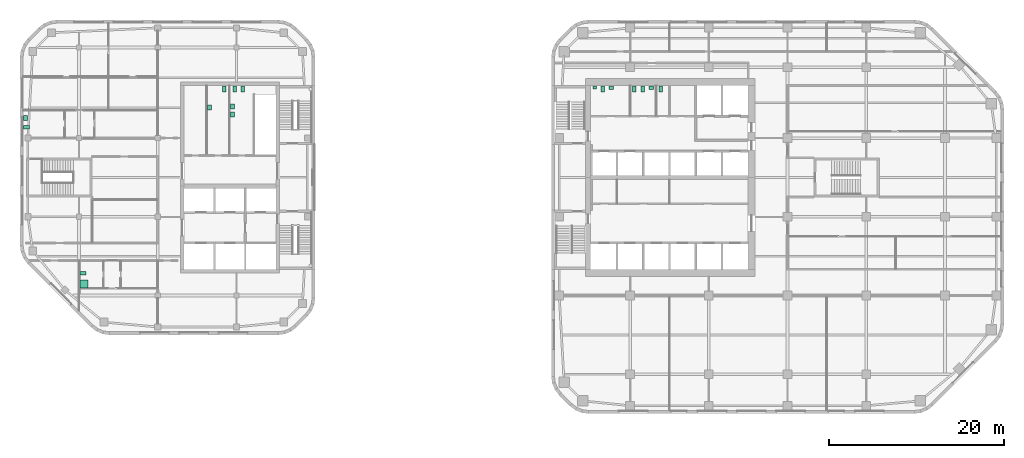
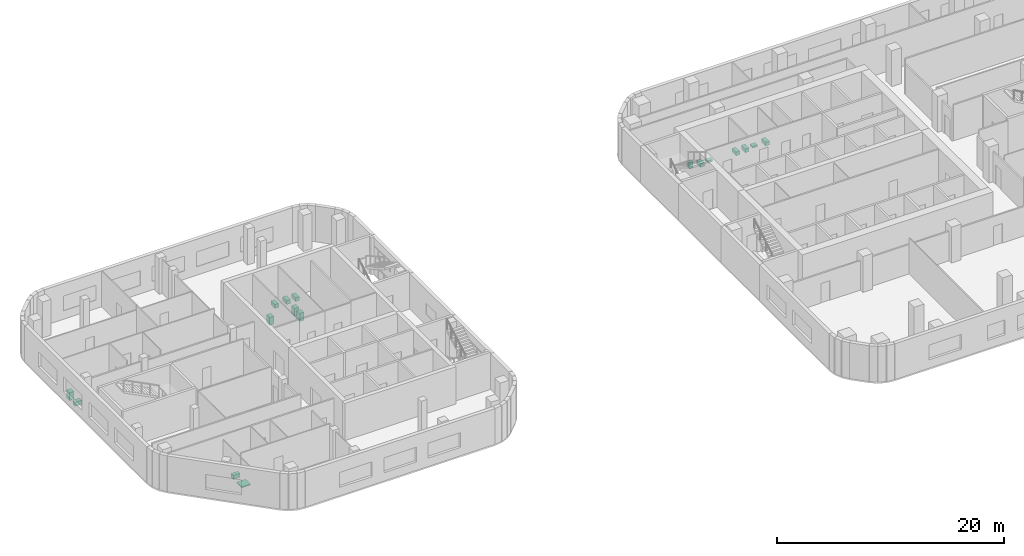
# One storey, part 14 of 14: 17 sanitary terminals.
"""IFC4 building model written with IfcOpenShell, lengths in metres."""

from ifc_helpers import new_model, si_unit, direction, frame, origin, origin_2d, place, context, subcontext, project, spatial, rectangle, extrude, material, type_object, element, save


model = new_model("IFC4")

# Units and contexts
model_context = context("Model", 3, precision=1e-05, world=origin(), true_north=direction((0.0, 1.0)))
body_context = subcontext(model_context, "Body", "Model", "MODEL_VIEW")
ifc_project = project(units=[si_unit("LENGTHUNIT", "METRE"), si_unit("AREAUNIT", "SQUARE_METRE"), si_unit("VOLUMEUNIT", "CUBIC_METRE"), si_unit("PLANEANGLEUNIT", "RADIAN"), si_unit("MASSUNIT", "GRAM", prefix="KILO")], contexts=[model_context])

# Site, building, storey
site_placement = place(None, origin())
site = spatial("IfcSite", under=ifc_project, at=site_placement, CompositionType="ELEMENT")
building_placement = place(site_placement, origin())
building = spatial("IfcBuilding", under=site, at=building_placement, Name="Cinnabar Reach Civic Tower", CompositionType="ELEMENT")
storey_placement = place(building_placement, frame((0.0, 0.0, 132.0)))
storey = spatial("IfcBuildingStorey", under=building, at=storey_placement, Name="L31", CompositionType="ELEMENT", Elevation=132.0)

# Sanitary terminals
ifc_material_1 = material(Name="Vitreous china")
sanitary_terminal_type_1 = type_object("IfcSanitaryTerminalType", Name="T1 WC pan", PredefinedType="TOILETPAN", material=ifc_material_1)
for number, where, z_axis, x_axis, name in (
    (1, (5.9, 41.6, 0.0), (0.0, 0.0, 1.0), (1.0, 0.0, 0.0), "T1 WC pan 3107-2"),
    (2, (9.5, 41.6, 0.0), (0.0, 0.0, 1.0), (1.0, 0.0, 0.0), "T1 WC pan 3108-1"),
    (3, (10.45, 41.6, 0.0), (0.0, 0.0, 1.0), (1.0, 0.0, 0.0), "T1 WC pan 3108-2"),
    (4, (12.5, 41.6, 0.0), (0.0, 0.0, 1.0), (1.0, 0.0, 0.0), "T1 WC pan 3109-1"),
):
    element("IfcSanitaryTerminal", number, at=place(storey_placement, frame(where, z_axis=z_axis, x_axis=x_axis)), inside=storey, type_object=sanitary_terminal_type_1, Name=name, PredefinedType="TOILETPAN", context=body_context, shape_type="SweptSolid", body=[
        extrude(rectangle(XDim=0.4, YDim=0.7, at=origin_2d()), origin(), (0.0, 0.0, 1.0), 0.4),
    ])
sanitary_terminal_type_2 = type_object("IfcSanitaryTerminalType", Name="T1 urinal", PredefinedType="URINAL", material=ifc_material_1)
sanitary_terminal_1_placement = place(storey_placement, frame((4.95, 41.775, 0.0), z_axis=(0.0, 0.0, 1.0), x_axis=(1.0, 0.0, 0.0)))
element("IfcSanitaryTerminal", 5, at=sanitary_terminal_1_placement, inside=storey, type_object=sanitary_terminal_type_2, Name="T1 urinal 3107-1", PredefinedType="URINAL", context=body_context, shape_type="SweptSolid", body=[
    extrude(rectangle(XDim=0.4, YDim=0.35, at=origin_2d()), origin(), (0.0, 0.0, 1.0), 0.6),
])
sanitary_terminal_type_3 = type_object("IfcSanitaryTerminalType", Name="T1 wash basin", PredefinedType="WASHHANDBASIN", material=ifc_material_1)
for number, where, z_axis, x_axis, name in (
    (6, (6.85, 41.74, 0.0), (0.0, 0.0, 1.0), (1.0, 0.0, 0.0), "T1 wash basin 3107-3"),
    (7, (11.4, 41.74, 0.0), (0.0, 0.0, 1.0), (1.0, 0.0, 0.0), "T1 wash basin 3108-3"),
):
    element("IfcSanitaryTerminal", number, at=place(storey_placement, frame(where, z_axis=z_axis, x_axis=x_axis)), inside=storey, type_object=sanitary_terminal_type_3, Name=name, PredefinedType="WASHHANDBASIN", context=body_context, shape_type="SweptSolid", body=[
        extrude(rectangle(XDim=0.5, YDim=0.42, at=origin_2d()), origin(), (0.0, 0.0, 1.0), 0.2),
    ])
ifc_material_2 = material(Name="Acrylic tray")
sanitary_terminal_type_4 = type_object("IfcSanitaryTerminalType", Name="T2 Shower tray", PredefinedType="SHOWER", material=ifc_material_2)
sanitary_terminal_2_placement = place(storey_placement, frame((-53.45, 19.3, 0.0), z_axis=(0.0, 0.0, 1.0), x_axis=(1.0, 0.0, 0.0)))
element("IfcSanitaryTerminal", 8, at=sanitary_terminal_2_placement, inside=storey, type_object=sanitary_terminal_type_4, Name="Shower tray", PredefinedType="SHOWER", context=body_context, shape_type="SweptSolid", body=[
    extrude(rectangle(XDim=0.9, YDim=0.9, at=origin_2d()), origin(), (0.0, 0.0, 1.0), 0.1),
])
sanitary_terminal_type_5 = type_object("IfcSanitaryTerminalType", Name="T2 WC pan", PredefinedType="TOILETPAN", material=ifc_material_1)
for number, where, z_axis, x_axis, name in (
    (9, (-37.4, 41.6, 0.0), (0.0, 0.0, 1.0), (1.0, 0.0, 0.0), "WC pan"),
    (10, (-36.2, 41.6, 0.0), (0.0, 0.0, 1.0), (1.0, 0.0, 0.0), "WC pan"),
    (11, (-35.3, 41.6, 0.0), (0.0, 0.0, 1.0), (1.0, 0.0, 0.0), "WC pan"),
):
    element("IfcSanitaryTerminal", number, at=place(storey_placement, frame(where, z_axis=z_axis, x_axis=x_axis)), inside=storey, type_object=sanitary_terminal_type_5, Name=name, PredefinedType="TOILETPAN", context=body_context, shape_type="SweptSolid", body=[
        extrude(rectangle(XDim=0.4, YDim=0.7, at=origin_2d()), origin(), (0.0, 0.0, 1.0), 0.42),
    ])
for number, where, z_axis, x_axis, name in (
    (12, (-53.55, 20.55, 0.0), (0.0, 0.0, 1.0), (1.0, 0.0, 0.0), "WC pan"),
    (13, (-59.99, 37.25, 0.0), (0.0, 0.0, 1.0), (1.0, 0.0, 0.0), "WC pan"),
):
    element("IfcSanitaryTerminal", number, at=place(storey_placement, frame(where, z_axis=z_axis, x_axis=x_axis)), inside=storey, type_object=sanitary_terminal_type_5, Name=name, PredefinedType="TOILETPAN", context=body_context, shape_type="SweptSolid", body=[
        extrude(rectangle(XDim=0.7, YDim=0.4, at=origin_2d()), origin(), (0.0, 0.0, 1.0), 0.42),
    ])
sanitary_terminal_type_6 = type_object("IfcSanitaryTerminalType", Name="T2 Wash basin", PredefinedType="WASHHANDBASIN", material=ifc_material_1)
for number, where, z_axis, x_axis, name in (
    (14, (-39.075, 39.5, 0.0), (0.0, 0.0, 1.0), (1.0, 0.0, 0.0), "Wash basin"),
    (15, (-36.475, 39.6, 0.0), (0.0, 0.0, 1.0), (1.0, 0.0, 0.0), "Wash basin"),
    (16, (-36.475, 38.7, 0.0), (0.0, 0.0, 1.0), (1.0, 0.0, 0.0), "Wash basin"),
    (17, (-60.115, 38.3, 0.0), (0.0, 0.0, 1.0), (1.0, 0.0, 0.0), "Wash basin"),
):
    element("IfcSanitaryTerminal", number, at=place(storey_placement, frame(where, z_axis=z_axis, x_axis=x_axis)), inside=storey, type_object=sanitary_terminal_type_6, Name=name, PredefinedType="WASHHANDBASIN", context=body_context, shape_type="SweptSolid", body=[
        extrude(rectangle(XDim=0.45, YDim=0.55, at=origin_2d()), origin(), (0.0, 0.0, 1.0), 0.85),
    ])

save(model, "model.ifc")
